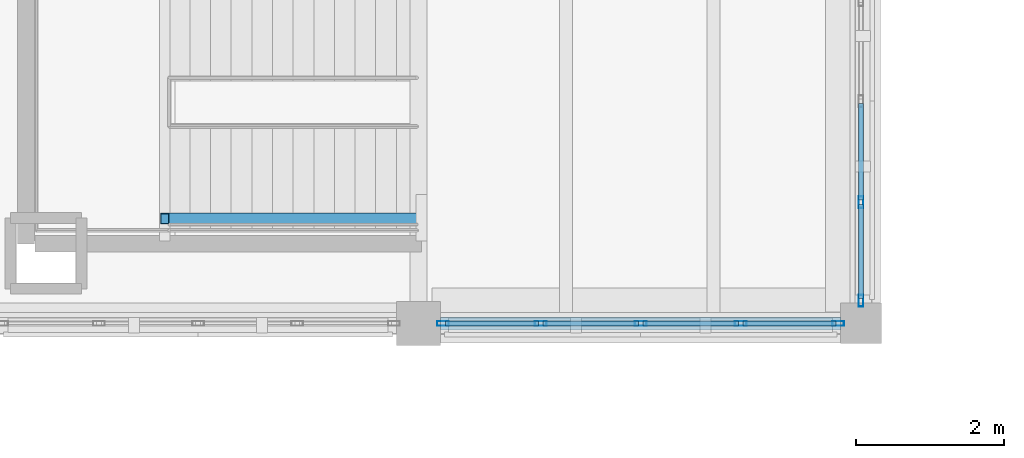
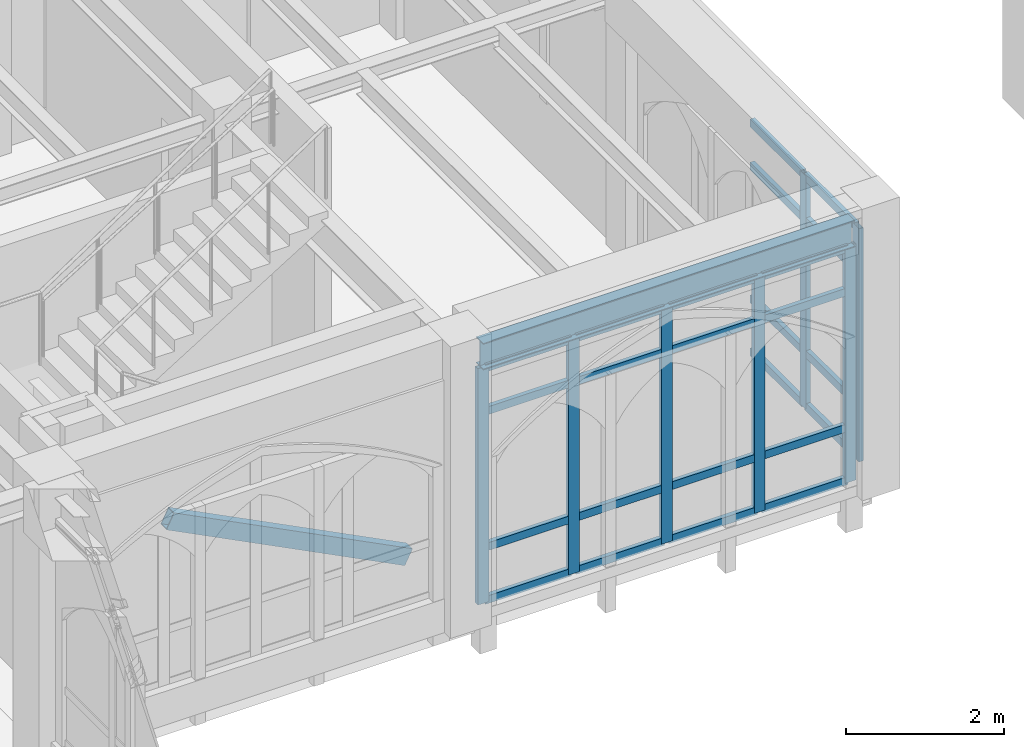
# One storey, part 40 of 143: 32 members, 1 beam, 2 elements without a shape of their own.
"""IFC4 building model written with IfcOpenShell, lengths in metres."""

from ifc_helpers import new_model, si_unit, direction, frame, origin, origin_2d, place, context, subcontext, project, spatial, hollow_rectangle, i_section, extrude, material, layer, layer_set, material_profile, profile_set, type_object, element, aggregate, save


model = new_model("IFC4")

# Units and contexts
model_context = context("Model", 3, precision=1e-05, world=origin(), true_north=direction((0.0, 1.0)))
body_context = subcontext(model_context, "Body", "Model", "MODEL_VIEW")
ifc_project = project(units=[si_unit("LENGTHUNIT", "METRE"), si_unit("AREAUNIT", "SQUARE_METRE"), si_unit("VOLUMEUNIT", "CUBIC_METRE"), si_unit("PLANEANGLEUNIT", "RADIAN"), si_unit("MASSUNIT", "GRAM", prefix="KILO")], contexts=[model_context])

# Site, building, storey
site_placement = place(None, origin())
site = spatial("IfcSite", under=ifc_project, at=site_placement, CompositionType="ELEMENT")
building_placement = place(site_placement, origin())
building = spatial("IfcBuilding", under=site, at=building_placement, Name="Cumevento Cable Car Station", CompositionType="ELEMENT")
storey_placement = place(building_placement, frame((0.0, 0.0, 9.0)))
storey = spatial("IfcBuildingStorey", under=building, at=storey_placement, Name="L03", CompositionType="ELEMENT", Elevation=9.0)

# Curtain wall, members
ifc_material_1 = material(Name="Anodised Bronze Aluminium AW-6063-T6", Category="aluminium")
ifc_layer_1 = layer(ifc_material_1, 0.2080078125)
ifc_layer_set_1 = layer_set([ifc_layer_1], Name="Anodised Bronze Aluminium AW-6063-T6")
curtain_wall_type_1 = type_object("IfcCurtainWallType", Name="Lancet Curtain Wall CW-09 1370", PredefinedType="NOTDEFINED", material=ifc_layer_set_1)
curtain_wall_1_placement = place(storey_placement, origin())
curtain_wall_1 = element("IfcCurtainWall", 1, at=curtain_wall_1_placement, inside=storey, type_object=curtain_wall_type_1, Name="Lancet Curtain Wall CW-09 L03 #88", PredefinedType="NOTDEFINED")
ifc_material_2 = material(Name="Anodised Bronze Aluminium AW-6063-T6", Category="aluminium")
ifc_material_profile_1 = material_profile(ifc_material_2, hollow_rectangle(XDim=0.06494140625, YDim=0.159912109375, WallThickness=0.00390625, at=origin_2d()), Name="ALUM65x160x4")
ifc_profile_set_1 = profile_set([ifc_material_profile_1], Name="Anodised Bronze Aluminium AW-6063-T6")
member_type_1 = type_object("IfcMemberType", Name="Curtain Mullion CWM-01 ALUM65x160x4", PredefinedType="MULLION", material=ifc_profile_set_1)
member_1_placement = place(storey_placement, frame((81.6923828125, 33.0, 0.159912109375), z_axis=(0.0, 0.0, 1.0), x_axis=(0.0, -1.0, 0.0)))
member_1 = element("IfcMember", 2, at=member_1_placement, type_object=member_type_1, Name="CW-09 mullion 1", PredefinedType="MULLION", context=body_context, shape_type="SweptSolid", body=[
    extrude(hollow_rectangle(XDim=0.06494140625, YDim=0.159912109375, WallThickness=0.00390625, at=origin_2d()), origin(), (0.0, 0.0, 1.0), 3.649169921875),
])
member_2_placement = place(storey_placement, frame((80.36865234375, 33.0, 0.159912109375), z_axis=(0.0, 0.0, 1.0), x_axis=(0.0, -1.0, 0.0)))
member_2 = element("IfcMember", 3, at=member_2_placement, type_object=member_type_1, Name="CW-09 mullion 2", PredefinedType="MULLION", context=body_context, shape_type="SweptSolid", body=[
    extrude(hollow_rectangle(XDim=0.06494140625, YDim=0.159912109375, WallThickness=0.00390625, at=origin_2d()), origin(), (0.0, 0.0, 1.0), 3.649169921875),
])
member_3_placement = place(storey_placement, frame((79.012451171875, 33.0, 0.159912109375), z_axis=(0.0, 0.0, 1.0), x_axis=(0.0, -1.0, 0.0)))
member_3 = element("IfcMember", 4, at=member_3_placement, type_object=member_type_1, Name="CW-09 mullion 3", PredefinedType="MULLION", context=body_context, shape_type="SweptSolid", body=[
    extrude(hollow_rectangle(XDim=0.06494140625, YDim=0.159912109375, WallThickness=0.00390625, at=origin_2d()), origin(), (0.0, 0.0, 1.0), 3.649169921875),
])
member_4_placement = place(storey_placement, frame((77.65625, 33.0, 0.159912109375), z_axis=(0.0, 0.0, 1.0), x_axis=(0.0, -1.0, 0.0)))
member_4 = element("IfcMember", 5, at=member_4_placement, type_object=member_type_1, Name="CW-09 mullion 4", PredefinedType="MULLION", context=body_context, shape_type="SweptSolid", body=[
    extrude(hollow_rectangle(XDim=0.06494140625, YDim=0.159912109375, WallThickness=0.00390625, at=origin_2d()), origin(), (0.0, 0.0, 1.0), 3.649169921875),
])
member_5_placement = place(storey_placement, frame((76.33251953125, 33.0, 0.159912109375), z_axis=(0.0, 0.0, 1.0), x_axis=(0.0, -1.0, 0.0)))
member_5 = element("IfcMember", 6, at=member_5_placement, type_object=member_type_1, Name="CW-09 mullion 5", PredefinedType="MULLION", context=body_context, shape_type="SweptSolid", body=[
    extrude(hollow_rectangle(XDim=0.06494140625, YDim=0.159912109375, WallThickness=0.00390625, at=origin_2d()), origin(), (0.0, 0.0, 1.0), 3.649169921875),
])

ifc_material_3 = material(Name="Anodised Bronze Aluminium AW-6063-T6", Category="aluminium")
ifc_layer_2 = layer(ifc_material_3, 0.214111328125)
ifc_layer_set_2 = layer_set([ifc_layer_2], Name="Anodised Bronze Aluminium AW-6063-T6")
curtain_wall_type_2 = type_object("IfcCurtainWallType", Name="Lancet Curtain Wall CW-10 1410", PredefinedType="NOTDEFINED", material=ifc_layer_set_2)
curtain_wall_2_placement = place(storey_placement, origin())
curtain_wall_2 = element("IfcCurtainWall", 7, at=curtain_wall_2_placement, inside=storey, type_object=curtain_wall_type_2, Name="Lancet Curtain Wall CW-10 L03 #89", PredefinedType="NOTDEFINED")
member_6_placement = place(storey_placement, frame((82.0, 34.643798828125, 0.2099609375), z_axis=(0.0, 0.0, 1.0), x_axis=(1.0, 0.0, 0.0)))
member_6 = element("IfcMember", 8, at=member_6_placement, type_object=member_type_1, Name="CW-10 mullion 4", PredefinedType="MULLION", context=body_context, shape_type="SweptSolid", body=[
    extrude(hollow_rectangle(XDim=0.06494140625, YDim=0.159912109375, WallThickness=0.00390625, at=origin_2d()), origin(), (0.0, 0.0, 1.0), 3.59912109375),
])
member_7_placement = place(storey_placement, frame((82.0, 33.3076171875, 0.2099609375), z_axis=(0.0, 0.0, 1.0), x_axis=(1.0, 0.0, 0.0)))
member_7 = element("IfcMember", 9, at=member_7_placement, type_object=member_type_1, Name="CW-10 mullion 5", PredefinedType="MULLION", context=body_context, shape_type="SweptSolid", body=[
    extrude(hollow_rectangle(XDim=0.06494140625, YDim=0.159912109375, WallThickness=0.00390625, at=origin_2d()), origin(), (0.0, 0.0, 1.0), 3.59912109375),
])

# Member
ifc_material_4 = material(Name="Anodised Bronze Aluminium AW-6063-T6", Category="aluminium")
ifc_material_profile_2 = material_profile(ifc_material_4, hollow_rectangle(XDim=0.06494140625, YDim=0.1201171875, WallThickness=0.00390625, at=origin_2d()), Name="ALUT65x120x4")
ifc_profile_set_2 = profile_set([ifc_material_profile_2], Name="Anodised Bronze Aluminium AW-6063-T6")
member_type_2 = type_object("IfcMemberType", Name="Curtain Transom CWT-01 ALUT65x120x4", PredefinedType="USERDEFINED", material=ifc_profile_set_2)
member_8_placement = place(storey_placement, frame((81.659912109375, 33.0, 0.1923828125), z_axis=(-1.0, 0.0, 0.0), x_axis=(0.0, -1.0, 0.0)))
member_8 = element("IfcMember", 10, at=member_8_placement, type_object=member_type_2, Name="CW-09 transom 1.1", ObjectType="TRANSOM", PredefinedType="USERDEFINED", context=body_context, shape_type="SweptSolid", body=[
    extrude(hollow_rectangle(XDim=0.06494140625, YDim=0.1201171875, WallThickness=0.00390625, at=origin_2d()), origin(), (0.0, 0.0, 1.0), 1.258544921875),
])

member_9_placement = place(storey_placement, frame((81.659912109375, 33.0, 1.010009765625), z_axis=(-1.0, 0.0, 0.0), x_axis=(0.0, -1.0, 0.0)))
member_9 = element("IfcMember", 11, at=member_9_placement, type_object=member_type_2, Name="CW-09 transom 1.2", ObjectType="TRANSOM", PredefinedType="USERDEFINED", context=body_context, shape_type="SweptSolid", body=[
    extrude(hollow_rectangle(XDim=0.06494140625, YDim=0.1201171875, WallThickness=0.00390625, at=origin_2d()), origin(), (0.0, 0.0, 1.0), 1.258544921875),
])

member_10_placement = place(storey_placement, frame((81.659912109375, 33.0, 3.10888671875), z_axis=(-1.0, 0.0, 0.0), x_axis=(0.0, -1.0, 0.0)))
member_10 = element("IfcMember", 12, at=member_10_placement, type_object=member_type_2, Name="CW-09 transom 1.3", ObjectType="TRANSOM", PredefinedType="USERDEFINED", context=body_context, shape_type="SweptSolid", body=[
    extrude(hollow_rectangle(XDim=0.06494140625, YDim=0.1201171875, WallThickness=0.00390625, at=origin_2d()), origin(), (0.0, 0.0, 1.0), 1.258544921875),
])

member_11_placement = place(storey_placement, frame((81.659912109375, 33.0, 3.776611328125), z_axis=(-1.0, 0.0, 0.0), x_axis=(0.0, -1.0, 0.0)))
member_11 = element("IfcMember", 13, at=member_11_placement, type_object=member_type_2, Name="CW-09 transom 1.4", ObjectType="TRANSOM", PredefinedType="USERDEFINED", context=body_context, shape_type="SweptSolid", body=[
    extrude(hollow_rectangle(XDim=0.06494140625, YDim=0.1201171875, WallThickness=0.00390625, at=origin_2d()), origin(), (0.0, 0.0, 1.0), 1.258544921875),
])

member_12_placement = place(storey_placement, frame((80.336181640625, 33.0, 0.1923828125), z_axis=(-1.0, 0.0, 0.0), x_axis=(0.0, -1.0, 0.0)))
member_12 = element("IfcMember", 14, at=member_12_placement, type_object=member_type_2, Name="CW-09 transom 2.1", ObjectType="TRANSOM", PredefinedType="USERDEFINED", context=body_context, shape_type="SweptSolid", body=[
    extrude(hollow_rectangle(XDim=0.06494140625, YDim=0.1201171875, WallThickness=0.00390625, at=origin_2d()), origin(), (0.0, 0.0, 1.0), 1.291259765625),
])

member_13_placement = place(storey_placement, frame((80.336181640625, 33.0, 1.010009765625), z_axis=(-1.0, 0.0, 0.0), x_axis=(0.0, -1.0, 0.0)))
member_13 = element("IfcMember", 15, at=member_13_placement, type_object=member_type_2, Name="CW-09 transom 2.2", ObjectType="TRANSOM", PredefinedType="USERDEFINED", context=body_context, shape_type="SweptSolid", body=[
    extrude(hollow_rectangle(XDim=0.06494140625, YDim=0.1201171875, WallThickness=0.00390625, at=origin_2d()), origin(), (0.0, 0.0, 1.0), 1.291259765625),
])

member_14_placement = place(storey_placement, frame((80.336181640625, 33.0, 3.10888671875), z_axis=(-1.0, 0.0, 0.0), x_axis=(0.0, -1.0, 0.0)))
member_14 = element("IfcMember", 16, at=member_14_placement, type_object=member_type_2, Name="CW-09 transom 2.3", ObjectType="TRANSOM", PredefinedType="USERDEFINED", context=body_context, shape_type="SweptSolid", body=[
    extrude(hollow_rectangle(XDim=0.06494140625, YDim=0.1201171875, WallThickness=0.00390625, at=origin_2d()), origin(), (0.0, 0.0, 1.0), 1.291259765625),
])

member_15_placement = place(storey_placement, frame((80.336181640625, 33.0, 3.776611328125), z_axis=(-1.0, 0.0, 0.0), x_axis=(0.0, -1.0, 0.0)))
member_15 = element("IfcMember", 17, at=member_15_placement, type_object=member_type_2, Name="CW-09 transom 2.4", ObjectType="TRANSOM", PredefinedType="USERDEFINED", context=body_context, shape_type="SweptSolid", body=[
    extrude(hollow_rectangle(XDim=0.06494140625, YDim=0.1201171875, WallThickness=0.00390625, at=origin_2d()), origin(), (0.0, 0.0, 1.0), 1.291259765625),
])

member_16_placement = place(storey_placement, frame((78.97998046875, 33.0, 0.1923828125), z_axis=(-1.0, 0.0, 0.0), x_axis=(0.0, -1.0, 0.0)))
member_16 = element("IfcMember", 18, at=member_16_placement, type_object=member_type_2, Name="CW-09 transom 3.1", ObjectType="TRANSOM", PredefinedType="USERDEFINED", context=body_context, shape_type="SweptSolid", body=[
    extrude(hollow_rectangle(XDim=0.06494140625, YDim=0.1201171875, WallThickness=0.00390625, at=origin_2d()), origin(), (0.0, 0.0, 1.0), 1.291259765625),
])

member_17_placement = place(storey_placement, frame((78.97998046875, 33.0, 1.010009765625), z_axis=(-1.0, 0.0, 0.0), x_axis=(0.0, -1.0, 0.0)))
member_17 = element("IfcMember", 19, at=member_17_placement, type_object=member_type_2, Name="CW-09 transom 3.2", ObjectType="TRANSOM", PredefinedType="USERDEFINED", context=body_context, shape_type="SweptSolid", body=[
    extrude(hollow_rectangle(XDim=0.06494140625, YDim=0.1201171875, WallThickness=0.00390625, at=origin_2d()), origin(), (0.0, 0.0, 1.0), 1.291259765625),
])

member_18_placement = place(storey_placement, frame((78.97998046875, 33.0, 3.10888671875), z_axis=(-1.0, 0.0, 0.0), x_axis=(0.0, -1.0, 0.0)))
member_18 = element("IfcMember", 20, at=member_18_placement, type_object=member_type_2, Name="CW-09 transom 3.3", ObjectType="TRANSOM", PredefinedType="USERDEFINED", context=body_context, shape_type="SweptSolid", body=[
    extrude(hollow_rectangle(XDim=0.06494140625, YDim=0.1201171875, WallThickness=0.00390625, at=origin_2d()), origin(), (0.0, 0.0, 1.0), 1.291259765625),
])

member_19_placement = place(storey_placement, frame((78.97998046875, 33.0, 3.776611328125), z_axis=(-1.0, 0.0, 0.0), x_axis=(0.0, -1.0, 0.0)))
member_19 = element("IfcMember", 21, at=member_19_placement, type_object=member_type_2, Name="CW-09 transom 3.4", ObjectType="TRANSOM", PredefinedType="USERDEFINED", context=body_context, shape_type="SweptSolid", body=[
    extrude(hollow_rectangle(XDim=0.06494140625, YDim=0.1201171875, WallThickness=0.00390625, at=origin_2d()), origin(), (0.0, 0.0, 1.0), 1.291259765625),
])

member_20_placement = place(storey_placement, frame((77.623779296875, 33.0, 0.1923828125), z_axis=(-1.0, 0.0, 0.0), x_axis=(0.0, -1.0, 0.0)))
member_20 = element("IfcMember", 22, at=member_20_placement, type_object=member_type_2, Name="CW-09 transom 4.1", ObjectType="TRANSOM", PredefinedType="USERDEFINED", context=body_context, shape_type="SweptSolid", body=[
    extrude(hollow_rectangle(XDim=0.06494140625, YDim=0.1201171875, WallThickness=0.00390625, at=origin_2d()), origin(), (0.0, 0.0, 1.0), 1.2587890625),
])

member_21_placement = place(storey_placement, frame((77.623779296875, 33.0, 1.010009765625), z_axis=(-1.0, 0.0, 0.0), x_axis=(0.0, -1.0, 0.0)))
member_21 = element("IfcMember", 23, at=member_21_placement, type_object=member_type_2, Name="CW-09 transom 4.2", ObjectType="TRANSOM", PredefinedType="USERDEFINED", context=body_context, shape_type="SweptSolid", body=[
    extrude(hollow_rectangle(XDim=0.06494140625, YDim=0.1201171875, WallThickness=0.00390625, at=origin_2d()), origin(), (0.0, 0.0, 1.0), 1.2587890625),
])

member_22_placement = place(storey_placement, frame((77.623779296875, 33.0, 3.10888671875), z_axis=(-1.0, 0.0, 0.0), x_axis=(0.0, -1.0, 0.0)))
member_22 = element("IfcMember", 24, at=member_22_placement, type_object=member_type_2, Name="CW-09 transom 4.3", ObjectType="TRANSOM", PredefinedType="USERDEFINED", context=body_context, shape_type="SweptSolid", body=[
    extrude(hollow_rectangle(XDim=0.06494140625, YDim=0.1201171875, WallThickness=0.00390625, at=origin_2d()), origin(), (0.0, 0.0, 1.0), 1.2587890625),
])

member_23_placement = place(storey_placement, frame((77.623779296875, 33.0, 3.776611328125), z_axis=(-1.0, 0.0, 0.0), x_axis=(0.0, -1.0, 0.0)))
member_23 = element("IfcMember", 25, at=member_23_placement, type_object=member_type_2, Name="CW-09 transom 4.4", ObjectType="TRANSOM", PredefinedType="USERDEFINED", context=body_context, shape_type="SweptSolid", body=[
    extrude(hollow_rectangle(XDim=0.06494140625, YDim=0.1201171875, WallThickness=0.00390625, at=origin_2d()), origin(), (0.0, 0.0, 1.0), 1.2587890625),
])

aggregate(curtain_wall_1, [member_1, member_2, member_3, member_4, member_5, member_8, member_9, member_10, member_11, member_12, member_13, member_14, member_15, member_16, member_17, member_18, member_19, member_20, member_21, member_22, member_23])

member_24_placement = place(storey_placement, frame((82.0, 35.97998046875, 0.242431640625), z_axis=(0.0, -1.0, 0.0), x_axis=(1.0, 0.0, 0.0)))
member_24 = element("IfcMember", 26, at=member_24_placement, type_object=member_type_2, Name="CW-10 transom 3.1", ObjectType="TRANSOM", PredefinedType="USERDEFINED", context=body_context, shape_type="SweptSolid", body=[
    extrude(hollow_rectangle(XDim=0.06494140625, YDim=0.1201171875, WallThickness=0.00390625, at=origin_2d()), origin(), (0.0, 0.0, 1.0), 1.3037109375),
])

member_25_placement = place(storey_placement, frame((82.0, 35.97998046875, 1.06005859375), z_axis=(0.0, -1.0, 0.0), x_axis=(1.0, 0.0, 0.0)))
member_25 = element("IfcMember", 27, at=member_25_placement, type_object=member_type_2, Name="CW-10 transom 3.2", ObjectType="TRANSOM", PredefinedType="USERDEFINED", context=body_context, shape_type="SweptSolid", body=[
    extrude(hollow_rectangle(XDim=0.06494140625, YDim=0.1201171875, WallThickness=0.00390625, at=origin_2d()), origin(), (0.0, 0.0, 1.0), 1.3037109375),
])

member_26_placement = place(storey_placement, frame((82.0, 35.97998046875, 3.10888671875), z_axis=(0.0, -1.0, 0.0), x_axis=(1.0, 0.0, 0.0)))
member_26 = element("IfcMember", 28, at=member_26_placement, type_object=member_type_2, Name="CW-10 transom 3.3", ObjectType="TRANSOM", PredefinedType="USERDEFINED", context=body_context, shape_type="SweptSolid", body=[
    extrude(hollow_rectangle(XDim=0.06494140625, YDim=0.1201171875, WallThickness=0.00390625, at=origin_2d()), origin(), (0.0, 0.0, 1.0), 1.3037109375),
])

member_27_placement = place(storey_placement, frame((82.0, 35.97998046875, 3.776611328125), z_axis=(0.0, -1.0, 0.0), x_axis=(1.0, 0.0, 0.0)))
member_27 = element("IfcMember", 29, at=member_27_placement, type_object=member_type_2, Name="CW-10 transom 3.4", ObjectType="TRANSOM", PredefinedType="USERDEFINED", context=body_context, shape_type="SweptSolid", body=[
    extrude(hollow_rectangle(XDim=0.06494140625, YDim=0.1201171875, WallThickness=0.00390625, at=origin_2d()), origin(), (0.0, 0.0, 1.0), 1.3037109375),
])

member_28_placement = place(storey_placement, frame((82.0, 34.611328125, 0.242431640625), z_axis=(0.0, -1.0, 0.0), x_axis=(1.0, 0.0, 0.0)))
member_28 = element("IfcMember", 30, at=member_28_placement, type_object=member_type_2, Name="CW-10 transom 4.1", ObjectType="TRANSOM", PredefinedType="USERDEFINED", context=body_context, shape_type="SweptSolid", body=[
    extrude(hollow_rectangle(XDim=0.06494140625, YDim=0.1201171875, WallThickness=0.00390625, at=origin_2d()), origin(), (0.0, 0.0, 1.0), 1.271240234375),
])

member_29_placement = place(storey_placement, frame((82.0, 34.611328125, 1.06005859375), z_axis=(0.0, -1.0, 0.0), x_axis=(1.0, 0.0, 0.0)))
member_29 = element("IfcMember", 31, at=member_29_placement, type_object=member_type_2, Name="CW-10 transom 4.2", ObjectType="TRANSOM", PredefinedType="USERDEFINED", context=body_context, shape_type="SweptSolid", body=[
    extrude(hollow_rectangle(XDim=0.06494140625, YDim=0.1201171875, WallThickness=0.00390625, at=origin_2d()), origin(), (0.0, 0.0, 1.0), 1.271240234375),
])

member_30_placement = place(storey_placement, frame((82.0, 34.611328125, 3.10888671875), z_axis=(0.0, -1.0, 0.0), x_axis=(1.0, 0.0, 0.0)))
member_30 = element("IfcMember", 32, at=member_30_placement, type_object=member_type_2, Name="CW-10 transom 4.3", ObjectType="TRANSOM", PredefinedType="USERDEFINED", context=body_context, shape_type="SweptSolid", body=[
    extrude(hollow_rectangle(XDim=0.06494140625, YDim=0.1201171875, WallThickness=0.00390625, at=origin_2d()), origin(), (0.0, 0.0, 1.0), 1.271240234375),
])

member_31_placement = place(storey_placement, frame((82.0, 34.611328125, 3.776611328125), z_axis=(0.0, -1.0, 0.0), x_axis=(1.0, 0.0, 0.0)))
member_31 = element("IfcMember", 33, at=member_31_placement, type_object=member_type_2, Name="CW-10 transom 4.4", ObjectType="TRANSOM", PredefinedType="USERDEFINED", context=body_context, shape_type="SweptSolid", body=[
    extrude(hollow_rectangle(XDim=0.06494140625, YDim=0.1201171875, WallThickness=0.00390625, at=origin_2d()), origin(), (0.0, 0.0, 1.0), 1.271240234375),
])

aggregate(curtain_wall_2, [member_6, member_7, member_24, member_25, member_26, member_27, member_28, member_29, member_30, member_31])

ifc_material_5 = material(Name="Steel ASTM A572 Grade 50", Category="steel")
ifc_material_profile_3 = material_profile(ifc_material_5, hollow_rectangle(XDim=0.14990234375, YDim=0.25, WallThickness=0.010009765625, at=origin_2d()), Name="HSS250x150x10.0")
ifc_profile_set_3 = profile_set([ifc_material_profile_3], Name="Steel ASTM A572 Grade 50")
member_type_3 = type_object("IfcMemberType", Name="Framing Stringer SR-01 HSS250x150x10.0", PredefinedType="STRINGER", material=ifc_profile_set_3)
member_32_placement = place(storey_placement, frame((76.0400390625, 34.419921875, 0.139892578125), z_axis=(-0.891228372479, 0.0, 0.45355483471), x_axis=(0.0, -1.0, 0.0)))
element("IfcMember", 34, at=member_32_placement, inside=storey, type_object=member_type_3, Name="Stair Steel Stringer ST-11 #449", PredefinedType="STRINGER", context=body_context, shape_type="SweptSolid", body=[
    extrude(hollow_rectangle(XDim=0.14990234375, YDim=0.25, WallThickness=0.010009765625, at=origin_2d()), origin(), (0.0, 0.0, 1.0), 3.90478515625),
])

# Beam
ifc_material_6 = material(Name="Steel ASTM A572 Grade 50", Category="steel")
ifc_material_profile_4 = material_profile(ifc_material_6, i_section(OverallWidth=0.177978515625, OverallDepth=0.406982421875, WebThickness=0.0078125, FlangeThickness=0.0126953125, at=origin_2d()), Name="W410x60.0")
ifc_profile_set_4 = profile_set([ifc_material_profile_4], Name="Steel ASTM A572 Grade 50")
beam_type = type_object("IfcBeamType", Name="Structural Spandrel SP-01 W410x60.0", PredefinedType="SPANDREL", material=ifc_profile_set_4)
beam_placement = place(storey_placement, frame((76.300048828125, 33.0, 4.012451171875), z_axis=(1.0, 0.0, 0.0), x_axis=(0.0, 1.0, 0.0)))
element("IfcBeam", 35, at=beam_placement, inside=storey, type_object=beam_type, Name="Beam SP-01 L03 #995", PredefinedType="SPANDREL", context=body_context, shape_type="SweptSolid", body=[
    extrude(i_section(OverallWidth=0.177978515625, OverallDepth=0.406982421875, WebThickness=0.0078125, FlangeThickness=0.0126953125, at=origin_2d()), origin(), (0.0, 0.0, 1.0), 5.425048828125),
])

save(model, "model.ifc")
